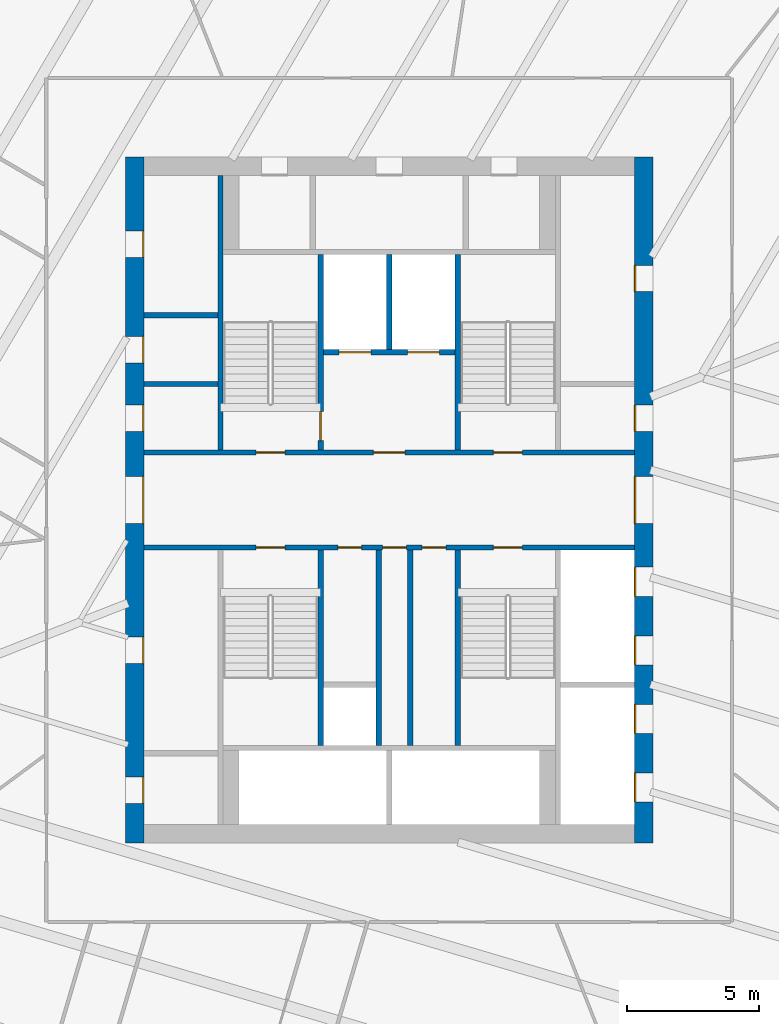
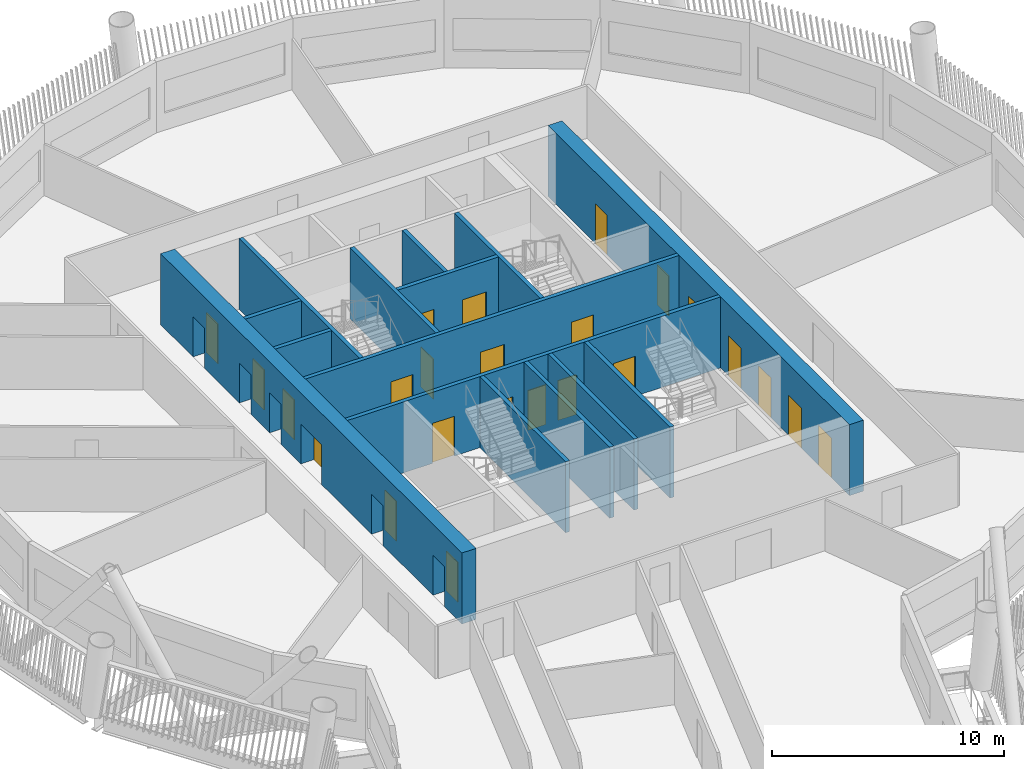
# One storey, part 5 of 23: 24 doors, 15 walls, 24 openings.
"""IFC4 building model written with IfcOpenShell, lengths in metres."""

from ifc_helpers import new_model, si_unit, direction, frame, frame_2d, origin, place, context, subcontext, project, spatial, rectangle, extrude, material, layer, layer_set, type_object, element, fill, save


model = new_model("IFC4")

# Units and contexts
model_context = context("Model", 3, precision=1e-05, world=origin(), true_north=direction((0.0, 1.0)))
body_context = subcontext(model_context, "Body", "Model", "MODEL_VIEW")
ifc_project = project(units=[si_unit("LENGTHUNIT", "METRE"), si_unit("AREAUNIT", "SQUARE_METRE"), si_unit("VOLUMEUNIT", "CUBIC_METRE"), si_unit("PLANEANGLEUNIT", "RADIAN"), si_unit("MASSUNIT", "GRAM", prefix="KILO")], contexts=[model_context])

# Site, building, storey
site_placement = place(None, origin())
site = spatial("IfcSite", under=ifc_project, at=site_placement, CompositionType="ELEMENT")
building_placement = place(site_placement, origin())
building = spatial("IfcBuilding", under=site, at=building_placement, Name="Tarsis Ring Headquarters", CompositionType="ELEMENT")
storey_placement = place(building_placement, frame((0.0, 0.0, 155.39990234375)))
storey = spatial("IfcBuildingStorey", under=building, at=storey_placement, Name="L35", CompositionType="ELEMENT", Elevation=155.39990234375)

# Walls
ifc_material_1 = material(Name="Blockwork", Category="masonry")
ifc_layer_1 = layer(ifc_material_1, 0.199951171875)
ifc_layer_set_1 = layer_set([ifc_layer_1], Name="Core blockwork wall 200")
wall_type_1 = type_object("IfcWallType", Name="Core blockwork wall 200", PredefinedType="PARTITIONING", material=ifc_layer_set_1)
for number, where, z_axis, x_axis, name in (
    (1, (-9.300048828125, 4.39990234375, 0.0), (0.0, 0.0, 1.0), (1.0, 0.0, 0.0), "Core partition WD5"),
    (2, (-9.300048828125, 7.0, 0.0), (0.0, 0.0, 1.0), (1.0, 0.0, 0.0), "Core partition WD6"),
):
    element("IfcWall", number, at=place(storey_placement, frame(where, z_axis=z_axis, x_axis=x_axis)), inside=storey, type_object=wall_type_1, Name=name, PredefinedType="PARTITIONING", context=body_context, shape_type="SweptSolid", body=[
        extrude(rectangle(XDim=2.800048828125, YDim=0.199951171875, at=frame_2d((1.39990234375, 0.0))), origin(), (0.0, 0.0, 1.0), 3.739990234375),
    ])
for number, where, z_axis, x_axis, name in (
    (3, (-0.39990234375, -9.300048828125, 0.0), (0.0, 0.0, 1.0), (0.0, 1.0, 0.0), "Core partition SV1"),
    (4, (0.800048828125, -9.300048828125, 0.0), (0.0, 0.0, 1.0), (0.0, 1.0, 0.0), "Core partition SV2"),
):
    element("IfcWall", number, at=place(storey_placement, frame(where, z_axis=z_axis, x_axis=x_axis)), inside=storey, type_object=wall_type_1, Name=name, PredefinedType="PARTITIONING", context=body_context, shape_type="SweptSolid", body=[
        extrude(rectangle(XDim=7.400146484375, YDim=0.199951171875, at=frame_2d((3.7001953125, 0.0))), origin(), (0.0, 0.0, 1.0), 3.739990234375),
    ])

# Wall, openings, doors
ifc_material_2 = material(Name="Concrete C60/75", Category="concrete")
ifc_layer_2 = layer(ifc_material_2, 0.699951171875)
ifc_layer_set_2 = layer_set([ifc_layer_2], Name="Core wall 700 C60/75")
wall_type_2 = type_object("IfcWallType", Name="Core wall 700 C60/75", PredefinedType="SHEAR", material=ifc_layer_set_2)
wall_1_placement = place(storey_placement, frame((-9.64990234375, -13.0, 0.0), z_axis=(0.0, 0.0, 1.0), x_axis=(0.0, 1.0, 0.0)))
wall_1 = element("IfcWall", 5, at=wall_1_placement, inside=storey, type_object=wall_type_2, Name="Core wall OW", PredefinedType="SHEAR", context=body_context, shape_type="SweptSolid", body=[
    extrude(rectangle(XDim=26.0, YDim=0.699951171875, at=frame_2d((13.0, 0.0))), origin(), (0.0, 0.0, 1.0), 3.739990234375),
])
opening_1_placement = place(wall_1_placement, frame((1.5, 0.0, 0.0)))
opening_1 = element("IfcOpeningElement", 6, at=opening_1_placement, cuts=wall_1, Name="Opening L35-C01", PredefinedType="OPENING", context=body_context, shape_type="SweptSolid", body=[
    extrude(rectangle(XDim=1.0, YDim=2.10009765625, at=frame_2d((0.5, 1.050048828125))), frame((0.0, 0.35986328125, 0.0), z_axis=(0.0, -1.0, 0.0), x_axis=(1.0, 0.0, 0.0)), (0.0, 0.0, 1.0), 0.719970703125),
])
opening_2_placement = place(wall_1_placement, frame((6.800048828125, 0.0, 0.0)))
opening_2 = element("IfcOpeningElement", 7, at=opening_2_placement, cuts=wall_1, Name="Opening L35-C02", PredefinedType="OPENING", context=body_context, shape_type="SweptSolid", body=[
    extrude(rectangle(XDim=1.0, YDim=2.10009765625, at=frame_2d((0.5, 1.050048828125))), frame((0.0, 0.35986328125, 0.0), z_axis=(0.0, -1.0, 0.0), x_axis=(1.0, 0.0, 0.0)), (0.0, 0.0, 1.0), 0.719970703125),
])
opening_3_placement = place(wall_1_placement, frame((12.10009765625, 0.0, 0.0)))
opening_3 = element("IfcOpeningElement", 8, at=opening_3_placement, cuts=wall_1, Name="Opening L35-C03", PredefinedType="OPENING", context=body_context, shape_type="SweptSolid", body=[
    extrude(rectangle(XDim=1.800048828125, YDim=2.10009765625, at=frame_2d((0.89990234375, 1.050048828125))), frame((0.0, 0.35986328125, 0.0), z_axis=(0.0, -1.0, 0.0), x_axis=(1.0, 0.0, 0.0)), (0.0, 0.0, 1.0), 0.719970703125),
])
opening_4_placement = place(wall_1_placement, frame((15.60009765625, 0.0, 0.0)))
opening_4 = element("IfcOpeningElement", 9, at=opening_4_placement, cuts=wall_1, Name="Opening L35-C04", PredefinedType="OPENING", context=body_context, shape_type="SweptSolid", body=[
    extrude(rectangle(XDim=1.0, YDim=2.10009765625, at=frame_2d((0.5, 1.050048828125))), frame((0.0, 0.35986328125, 0.0), z_axis=(0.0, -1.0, 0.0), x_axis=(1.0, 0.0, 0.0)), (0.0, 0.0, 1.0), 0.719970703125),
])
opening_5_placement = place(wall_1_placement, frame((18.199951171875, 0.0, 0.0)))
opening_5 = element("IfcOpeningElement", 10, at=opening_5_placement, cuts=wall_1, Name="Opening L35-C05", PredefinedType="OPENING", context=body_context, shape_type="SweptSolid", body=[
    extrude(rectangle(XDim=1.0, YDim=2.10009765625, at=frame_2d((0.5, 1.050048828125))), frame((0.0, 0.35986328125, 0.0), z_axis=(0.0, -1.0, 0.0), x_axis=(1.0, 0.0, 0.0)), (0.0, 0.0, 1.0), 0.719970703125),
])
opening_6_placement = place(wall_1_placement, frame((22.199951171875, 0.0, 0.0)))
opening_6 = element("IfcOpeningElement", 11, at=opening_6_placement, cuts=wall_1, Name="Opening L35-C06", PredefinedType="OPENING", context=body_context, shape_type="SweptSolid", body=[
    extrude(rectangle(XDim=1.0, YDim=2.10009765625, at=frame_2d((0.5, 1.050048828125))), frame((0.0, 0.35986328125, 0.0), z_axis=(0.0, -1.0, 0.0), x_axis=(1.0, 0.0, 0.0)), (0.0, 0.0, 1.0), 0.719970703125),
])
ifc_material_3 = material(Name="Steel S355", Category="steel")
door_type_1 = type_object("IfcDoorType", Name="Core entry door 1800x2100", OperationType="DOUBLE_DOOR_SINGLE_SWING", PredefinedType="DOOR", material=ifc_material_3)
door_1_placement = place(opening_3_placement, origin())
door_1 = element("IfcDoor", 12, at=door_1_placement, inside=storey, type_object=door_type_1, Name="Core entry door L35", OperationType="DOUBLE_DOOR_SINGLE_SWING", OverallHeight=2.10009765625, OverallWidth=1.800048828125, PredefinedType="DOOR", context=body_context, shape_type="SweptSolid", body=[
    extrude(rectangle(XDim=1.800048828125, YDim=2.10009765625, at=frame_2d((0.89990234375, 1.050048828125))), frame((0.0, -0.2998046875, 0.0), z_axis=(0.0, -1.0, 0.0), x_axis=(1.0, 0.0, 0.0)), (0.0, 0.0, 1.0), 0.050048828125),
])
fill(opening_3, door_1)
door_type_2 = type_object("IfcDoorType", Name="Core room door 1000x2100", OperationType="SINGLE_SWING_LEFT", PredefinedType="DOOR", material=ifc_material_3)
door_2_placement = place(opening_1_placement, origin())
door_2 = element("IfcDoor", 13, at=door_2_placement, inside=storey, type_object=door_type_2, Name="Core room door L35", OperationType="SINGLE_SWING_LEFT", OverallHeight=2.10009765625, OverallWidth=1.0, PredefinedType="DOOR", context=body_context, shape_type="SweptSolid", body=[
    extrude(rectangle(XDim=1.0, YDim=2.10009765625, at=frame_2d((0.5, 1.050048828125))), frame((0.0, -0.2998046875, 0.0), z_axis=(0.0, -1.0, 0.0), x_axis=(1.0, 0.0, 0.0)), (0.0, 0.0, 1.0), 0.050048828125),
])
fill(opening_1, door_2)
door_3_placement = place(opening_2_placement, origin())
door_3 = element("IfcDoor", 14, at=door_3_placement, inside=storey, type_object=door_type_2, Name="Core room door L35", OperationType="SINGLE_SWING_LEFT", OverallHeight=2.10009765625, OverallWidth=1.0, PredefinedType="DOOR", context=body_context, shape_type="SweptSolid", body=[
    extrude(rectangle(XDim=1.0, YDim=2.10009765625, at=frame_2d((0.5, 1.050048828125))), frame((0.0, -0.2998046875, 0.0), z_axis=(0.0, -1.0, 0.0), x_axis=(1.0, 0.0, 0.0)), (0.0, 0.0, 1.0), 0.050048828125),
])
fill(opening_2, door_3)
door_4_placement = place(opening_4_placement, origin())
door_4 = element("IfcDoor", 15, at=door_4_placement, inside=storey, type_object=door_type_2, Name="Core room door L35", OperationType="SINGLE_SWING_LEFT", OverallHeight=2.10009765625, OverallWidth=1.0, PredefinedType="DOOR", context=body_context, shape_type="SweptSolid", body=[
    extrude(rectangle(XDim=1.0, YDim=2.10009765625, at=frame_2d((0.5, 1.050048828125))), frame((0.0, -0.2998046875, 0.0), z_axis=(0.0, -1.0, 0.0), x_axis=(1.0, 0.0, 0.0)), (0.0, 0.0, 1.0), 0.050048828125),
])
fill(opening_4, door_4)
door_5_placement = place(opening_5_placement, origin())
door_5 = element("IfcDoor", 16, at=door_5_placement, inside=storey, type_object=door_type_2, Name="Core room door L35", OperationType="SINGLE_SWING_LEFT", OverallHeight=2.10009765625, OverallWidth=1.0, PredefinedType="DOOR", context=body_context, shape_type="SweptSolid", body=[
    extrude(rectangle(XDim=1.0, YDim=2.10009765625, at=frame_2d((0.5, 1.050048828125))), frame((0.0, -0.2998046875, 0.0), z_axis=(0.0, -1.0, 0.0), x_axis=(1.0, 0.0, 0.0)), (0.0, 0.0, 1.0), 0.050048828125),
])
fill(opening_5, door_5)
door_6_placement = place(opening_6_placement, origin())
door_6 = element("IfcDoor", 17, at=door_6_placement, inside=storey, type_object=door_type_2, Name="Core room door L35", OperationType="SINGLE_SWING_LEFT", OverallHeight=2.10009765625, OverallWidth=1.0, PredefinedType="DOOR", context=body_context, shape_type="SweptSolid", body=[
    extrude(rectangle(XDim=1.0, YDim=2.10009765625, at=frame_2d((0.5, 1.050048828125))), frame((0.0, -0.2998046875, 0.0), z_axis=(0.0, -1.0, 0.0), x_axis=(1.0, 0.0, 0.0)), (0.0, 0.0, 1.0), 0.050048828125),
])
fill(opening_6, door_6)

wall_2_placement = place(storey_placement, frame((9.64990234375, -13.0, 0.0), z_axis=(0.0, 0.0, 1.0), x_axis=(0.0, 1.0, 0.0)))
wall_2 = element("IfcWall", 18, at=wall_2_placement, inside=storey, type_object=wall_type_2, Name="Core wall OE", PredefinedType="SHEAR", context=body_context, shape_type="SweptSolid", body=[
    extrude(rectangle(XDim=26.0, YDim=0.699951171875, at=frame_2d((13.0, 0.0))), origin(), (0.0, 0.0, 1.0), 3.739990234375),
])
opening_7_placement = place(wall_2_placement, frame((1.550048828125, 0.0, 0.0)))
opening_7 = element("IfcOpeningElement", 19, at=opening_7_placement, cuts=wall_2, Name="Opening LD-MR1", PredefinedType="OPENING", context=body_context, shape_type="SweptSolid", body=[
    extrude(rectangle(XDim=1.10009765625, YDim=2.10009765625, at=frame_2d((0.550048828125, 1.050048828125))), frame((0.0, 0.35986328125, 0.0), z_axis=(0.0, -1.0, 0.0), x_axis=(1.0, 0.0, 0.0)), (0.0, 0.0, 1.0), 0.719970703125),
])
opening_8_placement = place(wall_2_placement, frame((4.14990234375, 0.0, 0.0)))
opening_8 = element("IfcOpeningElement", 20, at=opening_8_placement, cuts=wall_2, Name="Opening LD-MR2", PredefinedType="OPENING", context=body_context, shape_type="SweptSolid", body=[
    extrude(rectangle(XDim=1.10009765625, YDim=2.10009765625, at=frame_2d((0.550048828125, 1.050048828125))), frame((0.0, 0.35986328125, 0.0), z_axis=(0.0, -1.0, 0.0), x_axis=(1.0, 0.0, 0.0)), (0.0, 0.0, 1.0), 0.719970703125),
])
opening_9_placement = place(wall_2_placement, frame((6.75, 0.0, 0.0)))
opening_9 = element("IfcOpeningElement", 21, at=opening_9_placement, cuts=wall_2, Name="Opening LD-MR3", PredefinedType="OPENING", context=body_context, shape_type="SweptSolid", body=[
    extrude(rectangle(XDim=1.10009765625, YDim=2.10009765625, at=frame_2d((0.550048828125, 1.050048828125))), frame((0.0, 0.35986328125, 0.0), z_axis=(0.0, -1.0, 0.0), x_axis=(1.0, 0.0, 0.0)), (0.0, 0.0, 1.0), 0.719970703125),
])
opening_10_placement = place(wall_2_placement, frame((9.35009765625, 0.0, 0.0)))
opening_10 = element("IfcOpeningElement", 22, at=opening_10_placement, cuts=wall_2, Name="Opening LD-MR4", PredefinedType="OPENING", context=body_context, shape_type="SweptSolid", body=[
    extrude(rectangle(XDim=1.10009765625, YDim=2.10009765625, at=frame_2d((0.550048828125, 1.050048828125))), frame((0.0, 0.35986328125, 0.0), z_axis=(0.0, -1.0, 0.0), x_axis=(1.0, 0.0, 0.0)), (0.0, 0.0, 1.0), 0.719970703125),
])
opening_11_placement = place(wall_2_placement, frame((12.10009765625, 0.0, 0.0)))
opening_11 = element("IfcOpeningElement", 23, at=opening_11_placement, cuts=wall_2, Name="Opening L35-C11", PredefinedType="OPENING", context=body_context, shape_type="SweptSolid", body=[
    extrude(rectangle(XDim=1.800048828125, YDim=2.10009765625, at=frame_2d((0.89990234375, 1.050048828125))), frame((0.0, 0.35986328125, 0.0), z_axis=(0.0, -1.0, 0.0), x_axis=(1.0, 0.0, 0.0)), (0.0, 0.0, 1.0), 0.719970703125),
])
opening_12_placement = place(wall_2_placement, frame((15.60009765625, 0.0, 0.0)))
opening_12 = element("IfcOpeningElement", 24, at=opening_12_placement, cuts=wall_2, Name="Opening L35-C12", PredefinedType="OPENING", context=body_context, shape_type="SweptSolid", body=[
    extrude(rectangle(XDim=1.0, YDim=2.10009765625, at=frame_2d((0.5, 1.050048828125))), frame((0.0, 0.35986328125, 0.0), z_axis=(0.0, -1.0, 0.0), x_axis=(1.0, 0.0, 0.0)), (0.0, 0.0, 1.0), 0.719970703125),
])
opening_13_placement = place(wall_2_placement, frame((20.89990234375, 0.0, 0.0)))
opening_13 = element("IfcOpeningElement", 25, at=opening_13_placement, cuts=wall_2, Name="Opening L35-C13", PredefinedType="OPENING", context=body_context, shape_type="SweptSolid", body=[
    extrude(rectangle(XDim=1.0, YDim=2.10009765625, at=frame_2d((0.5, 1.050048828125))), frame((0.0, 0.35986328125, 0.0), z_axis=(0.0, -1.0, 0.0), x_axis=(1.0, 0.0, 0.0)), (0.0, 0.0, 1.0), 0.719970703125),
])
door_7_placement = place(opening_11_placement, origin())
door_7 = element("IfcDoor", 26, at=door_7_placement, inside=storey, type_object=door_type_1, Name="Core entry door L35", OperationType="DOUBLE_DOOR_SINGLE_SWING", OverallHeight=2.10009765625, OverallWidth=1.800048828125, PredefinedType="DOOR", context=body_context, shape_type="SweptSolid", body=[
    extrude(rectangle(XDim=1.800048828125, YDim=2.10009765625, at=frame_2d((0.89990234375, 1.050048828125))), frame((0.0, 0.35009765625, 0.0), z_axis=(0.0, -1.0, 0.0), x_axis=(1.0, 0.0, 0.0)), (0.0, 0.0, 1.0), 0.050048828125),
])
fill(opening_11, door_7)
door_8_placement = place(opening_12_placement, origin())
door_8 = element("IfcDoor", 27, at=door_8_placement, inside=storey, type_object=door_type_2, Name="Core room door L35", OperationType="SINGLE_SWING_LEFT", OverallHeight=2.10009765625, OverallWidth=1.0, PredefinedType="DOOR", context=body_context, shape_type="SweptSolid", body=[
    extrude(rectangle(XDim=1.0, YDim=2.10009765625, at=frame_2d((0.5, 1.050048828125))), frame((0.0, 0.35009765625, 0.0), z_axis=(0.0, -1.0, 0.0), x_axis=(1.0, 0.0, 0.0)), (0.0, 0.0, 1.0), 0.050048828125),
])
fill(opening_12, door_8)
door_9_placement = place(opening_13_placement, origin())
door_9 = element("IfcDoor", 28, at=door_9_placement, inside=storey, type_object=door_type_2, Name="Core room door L35", OperationType="SINGLE_SWING_LEFT", OverallHeight=2.10009765625, OverallWidth=1.0, PredefinedType="DOOR", context=body_context, shape_type="SweptSolid", body=[
    extrude(rectangle(XDim=1.0, YDim=2.10009765625, at=frame_2d((0.5, 1.050048828125))), frame((0.0, 0.35009765625, 0.0), z_axis=(0.0, -1.0, 0.0), x_axis=(1.0, 0.0, 0.0)), (0.0, 0.0, 1.0), 0.050048828125),
])
fill(opening_13, door_9)
door_type_3 = type_object("IfcDoorType", Name="Landing door 1100x2100", OperationType="SLIDING_TO_LEFT", PredefinedType="DOOR", material=ifc_material_3)
door_10_placement = place(opening_7_placement, origin())
door_10 = element("IfcDoor", 29, at=door_10_placement, inside=storey, type_object=door_type_3, Name="Landing door MR1 L35", OperationType="SLIDING_TO_LEFT", OverallHeight=2.10009765625, OverallWidth=1.10009765625, PredefinedType="DOOR", context=body_context, shape_type="SweptSolid", body=[
    extrude(rectangle(XDim=1.10009765625, YDim=2.10009765625, at=frame_2d((0.550048828125, 1.050048828125))), frame((0.0, 0.35009765625, 0.0), z_axis=(0.0, -1.0, 0.0), x_axis=(1.0, 0.0, 0.0)), (0.0, 0.0, 1.0), 0.050048828125),
])
fill(opening_7, door_10)
door_11_placement = place(opening_8_placement, origin())
door_11 = element("IfcDoor", 30, at=door_11_placement, inside=storey, type_object=door_type_3, Name="Landing door MR2 L35", OperationType="SLIDING_TO_LEFT", OverallHeight=2.10009765625, OverallWidth=1.10009765625, PredefinedType="DOOR", context=body_context, shape_type="SweptSolid", body=[
    extrude(rectangle(XDim=1.10009765625, YDim=2.10009765625, at=frame_2d((0.550048828125, 1.050048828125))), frame((0.0, 0.35009765625, 0.0), z_axis=(0.0, -1.0, 0.0), x_axis=(1.0, 0.0, 0.0)), (0.0, 0.0, 1.0), 0.050048828125),
])
fill(opening_8, door_11)
door_12_placement = place(opening_9_placement, origin())
door_12 = element("IfcDoor", 31, at=door_12_placement, inside=storey, type_object=door_type_3, Name="Landing door MR3 L35", OperationType="SLIDING_TO_LEFT", OverallHeight=2.10009765625, OverallWidth=1.10009765625, PredefinedType="DOOR", context=body_context, shape_type="SweptSolid", body=[
    extrude(rectangle(XDim=1.10009765625, YDim=2.10009765625, at=frame_2d((0.550048828125, 1.050048828125))), frame((0.0, 0.35009765625, 0.0), z_axis=(0.0, -1.0, 0.0), x_axis=(1.0, 0.0, 0.0)), (0.0, 0.0, 1.0), 0.050048828125),
])
fill(opening_9, door_12)
door_13_placement = place(opening_10_placement, origin())
door_13 = element("IfcDoor", 32, at=door_13_placement, inside=storey, type_object=door_type_3, Name="Landing door MR4 L35", OperationType="SLIDING_TO_LEFT", OverallHeight=2.10009765625, OverallWidth=1.10009765625, PredefinedType="DOOR", context=body_context, shape_type="SweptSolid", body=[
    extrude(rectangle(XDim=1.10009765625, YDim=2.10009765625, at=frame_2d((0.550048828125, 1.050048828125))), frame((0.0, 0.35009765625, 0.0), z_axis=(0.0, -1.0, 0.0), x_axis=(1.0, 0.0, 0.0)), (0.0, 0.0, 1.0), 0.050048828125),
])
fill(opening_10, door_13)

ifc_material_4 = material(Name="Concrete C32/40", Category="concrete")
ifc_layer_3 = layer(ifc_material_4, 0.199951171875)
ifc_layer_set_3 = layer_set([ifc_layer_3], Name="Shaft wall 200 C32/40")
wall_type_3 = type_object("IfcWallType", Name="Shaft wall 200 C32/40", PredefinedType="SOLIDWALL", material=ifc_layer_set_3)
wall_3_placement = place(storey_placement, frame((-9.300048828125, 1.800048828125, 0.0), z_axis=(0.0, 0.0, 1.0), x_axis=(1.0, 0.0, 0.0)))
wall_3 = element("IfcWall", 33, at=wall_3_placement, inside=storey, type_object=wall_type_3, Name="Core shaft wall CN", PredefinedType="SOLIDWALL", context=body_context, shape_type="SweptSolid", body=[
    extrude(rectangle(XDim=18.60009765625, YDim=0.199951171875, at=frame_2d((9.300048828125, 0.0))), origin(), (0.0, 0.0, 1.0), 3.739990234375),
])
opening_14_placement = place(wall_3_placement, frame((4.25, 0.0, 0.0)))
opening_14 = element("IfcOpeningElement", 34, at=opening_14_placement, cuts=wall_3, Name="Opening L35-C17", PredefinedType="OPENING", context=body_context, shape_type="SweptSolid", body=[
    extrude(rectangle(XDim=1.10009765625, YDim=2.10009765625, at=frame_2d((0.550048828125, 1.050048828125))), frame((0.0, 0.10986328125, 0.0), z_axis=(0.0, -1.0, 0.0), x_axis=(1.0, 0.0, 0.0)), (0.0, 0.0, 1.0), 0.219970703125),
])
opening_15_placement = place(wall_3_placement, frame((8.699951171875, 0.0, 0.0)))
opening_15 = element("IfcOpeningElement", 35, at=opening_15_placement, cuts=wall_3, Name="Opening L35-C18", PredefinedType="OPENING", context=body_context, shape_type="SweptSolid", body=[
    extrude(rectangle(XDim=1.199951171875, YDim=2.10009765625, at=frame_2d((0.60009765625, 1.050048828125))), frame((0.0, 0.10986328125, 0.0), z_axis=(0.0, -1.0, 0.0), x_axis=(1.0, 0.0, 0.0)), (0.0, 0.0, 1.0), 0.219970703125),
])
opening_16_placement = place(wall_3_placement, frame((13.25, 0.0, 0.0)))
opening_16 = element("IfcOpeningElement", 36, at=opening_16_placement, cuts=wall_3, Name="Opening L35-C19", PredefinedType="OPENING", context=body_context, shape_type="SweptSolid", body=[
    extrude(rectangle(XDim=1.10009765625, YDim=2.10009765625, at=frame_2d((0.550048828125, 1.050048828125))), frame((0.0, 0.10986328125, 0.0), z_axis=(0.0, -1.0, 0.0), x_axis=(1.0, 0.0, 0.0)), (0.0, 0.0, 1.0), 0.219970703125),
])
door_type_4 = type_object("IfcDoorType", Name="Firefighting lobby door 1200x2100", OperationType="DOUBLE_DOOR_SINGLE_SWING", PredefinedType="DOOR", material=ifc_material_3)
door_14_placement = place(opening_15_placement, origin())
door_14 = element("IfcDoor", 37, at=door_14_placement, inside=storey, type_object=door_type_4, Name="Firefighting lobby door L35", OperationType="DOUBLE_DOOR_SINGLE_SWING", OverallHeight=2.10009765625, OverallWidth=1.199951171875, PredefinedType="DOOR", context=body_context, shape_type="SweptSolid", body=[
    extrude(rectangle(XDim=1.199951171875, YDim=2.10009765625, at=frame_2d((0.60009765625, 1.050048828125))), frame((0.0, 0.02490234375, 0.0), z_axis=(0.0, -1.0, 0.0), x_axis=(1.0, 0.0, 0.0)), (0.0, 0.0, 1.0), 0.050048828125),
])
fill(opening_15, door_14)
door_type_5 = type_object("IfcDoorType", Name="Stair door 1100x2100", OperationType="SINGLE_SWING_LEFT", PredefinedType="DOOR", material=ifc_material_3)
door_15_placement = place(opening_14_placement, origin())
door_15 = element("IfcDoor", 38, at=door_15_placement, inside=storey, type_object=door_type_5, Name="Stair door L35", OperationType="SINGLE_SWING_LEFT", OverallHeight=2.10009765625, OverallWidth=1.10009765625, PredefinedType="DOOR", context=body_context, shape_type="SweptSolid", body=[
    extrude(rectangle(XDim=1.10009765625, YDim=2.10009765625, at=frame_2d((0.550048828125, 1.050048828125))), frame((0.0, 0.02490234375, 0.0), z_axis=(0.0, -1.0, 0.0), x_axis=(1.0, 0.0, 0.0)), (0.0, 0.0, 1.0), 0.050048828125),
])
fill(opening_14, door_15)
door_16_placement = place(opening_16_placement, origin())
door_16 = element("IfcDoor", 39, at=door_16_placement, inside=storey, type_object=door_type_5, Name="Stair door L35", OperationType="SINGLE_SWING_LEFT", OverallHeight=2.10009765625, OverallWidth=1.10009765625, PredefinedType="DOOR", context=body_context, shape_type="SweptSolid", body=[
    extrude(rectangle(XDim=1.10009765625, YDim=2.10009765625, at=frame_2d((0.550048828125, 1.050048828125))), frame((0.0, 0.02490234375, 0.0), z_axis=(0.0, -1.0, 0.0), x_axis=(1.0, 0.0, 0.0)), (0.0, 0.0, 1.0), 0.050048828125),
])
fill(opening_16, door_16)

wall_4_placement = place(storey_placement, frame((-9.300048828125, -1.800048828125, 0.0), z_axis=(0.0, 0.0, 1.0), x_axis=(1.0, 0.0, 0.0)))
wall_4 = element("IfcWall", 40, at=wall_4_placement, inside=storey, type_object=wall_type_3, Name="Core shaft wall CS", PredefinedType="SOLIDWALL", context=body_context, shape_type="SweptSolid", body=[
    extrude(rectangle(XDim=18.60009765625, YDim=0.199951171875, at=frame_2d((9.300048828125, 0.0))), origin(), (0.0, 0.0, 1.0), 3.739990234375),
])
opening_17_placement = place(wall_4_placement, frame((4.25, 0.0, 0.0)))
opening_17 = element("IfcOpeningElement", 41, at=opening_17_placement, cuts=wall_4, Name="Opening L35-C20", PredefinedType="OPENING", context=body_context, shape_type="SweptSolid", body=[
    extrude(rectangle(XDim=1.10009765625, YDim=2.10009765625, at=frame_2d((0.550048828125, 1.050048828125))), frame((0.0, 0.10986328125, 0.0), z_axis=(0.0, -1.0, 0.0), x_axis=(1.0, 0.0, 0.0)), (0.0, 0.0, 1.0), 0.219970703125),
])
opening_18_placement = place(wall_4_placement, frame((7.35009765625, 0.0, 0.0)))
opening_18 = element("IfcOpeningElement", 42, at=opening_18_placement, cuts=wall_4, Name="Opening L35-C21", PredefinedType="OPENING", context=body_context, shape_type="SweptSolid", body=[
    extrude(rectangle(XDim=0.89990234375, YDim=2.10009765625, at=frame_2d((0.449951171875, 1.050048828125))), frame((0.0, 0.10986328125, 0.0), z_axis=(0.0, -1.0, 0.0), x_axis=(1.0, 0.0, 0.0)), (0.0, 0.0, 1.0), 0.219970703125),
])
opening_19_placement = place(wall_4_placement, frame((9.050048828125, 0.0, 0.0)))
opening_19 = element("IfcOpeningElement", 43, at=opening_19_placement, cuts=wall_4, Name="Opening L35-C22", PredefinedType="OPENING", context=body_context, shape_type="SweptSolid", body=[
    extrude(rectangle(XDim=0.89990234375, YDim=2.10009765625, at=frame_2d((0.449951171875, 1.050048828125))), frame((0.0, 0.10986328125, 0.0), z_axis=(0.0, -1.0, 0.0), x_axis=(1.0, 0.0, 0.0)), (0.0, 0.0, 1.0), 0.219970703125),
])
opening_20_placement = place(wall_4_placement, frame((10.550048828125, 0.0, 0.0)))
opening_20 = element("IfcOpeningElement", 44, at=opening_20_placement, cuts=wall_4, Name="Opening L35-C23", PredefinedType="OPENING", context=body_context, shape_type="SweptSolid", body=[
    extrude(rectangle(XDim=0.89990234375, YDim=2.10009765625, at=frame_2d((0.449951171875, 1.050048828125))), frame((0.0, 0.10986328125, 0.0), z_axis=(0.0, -1.0, 0.0), x_axis=(1.0, 0.0, 0.0)), (0.0, 0.0, 1.0), 0.219970703125),
])
opening_21_placement = place(wall_4_placement, frame((13.25, 0.0, 0.0)))
opening_21 = element("IfcOpeningElement", 45, at=opening_21_placement, cuts=wall_4, Name="Opening L35-C24", PredefinedType="OPENING", context=body_context, shape_type="SweptSolid", body=[
    extrude(rectangle(XDim=1.10009765625, YDim=2.10009765625, at=frame_2d((0.550048828125, 1.050048828125))), frame((0.0, 0.10986328125, 0.0), z_axis=(0.0, -1.0, 0.0), x_axis=(1.0, 0.0, 0.0)), (0.0, 0.0, 1.0), 0.219970703125),
])
door_17_placement = place(opening_17_placement, origin())
door_17 = element("IfcDoor", 46, at=door_17_placement, inside=storey, type_object=door_type_5, Name="Stair door L35", OperationType="SINGLE_SWING_LEFT", OverallHeight=2.10009765625, OverallWidth=1.10009765625, PredefinedType="DOOR", context=body_context, shape_type="SweptSolid", body=[
    extrude(rectangle(XDim=1.10009765625, YDim=2.10009765625, at=frame_2d((0.550048828125, 1.050048828125))), frame((0.0, 0.02490234375, 0.0), z_axis=(0.0, -1.0, 0.0), x_axis=(1.0, 0.0, 0.0)), (0.0, 0.0, 1.0), 0.050048828125),
])
fill(opening_17, door_17)
door_18_placement = place(opening_21_placement, origin())
door_18 = element("IfcDoor", 47, at=door_18_placement, inside=storey, type_object=door_type_5, Name="Stair door L35", OperationType="SINGLE_SWING_LEFT", OverallHeight=2.10009765625, OverallWidth=1.10009765625, PredefinedType="DOOR", context=body_context, shape_type="SweptSolid", body=[
    extrude(rectangle(XDim=1.10009765625, YDim=2.10009765625, at=frame_2d((0.550048828125, 1.050048828125))), frame((0.0, 0.02490234375, 0.0), z_axis=(0.0, -1.0, 0.0), x_axis=(1.0, 0.0, 0.0)), (0.0, 0.0, 1.0), 0.050048828125),
])
fill(opening_21, door_18)
door_type_6 = type_object("IfcDoorType", Name="WC door 900x2100", OperationType="SINGLE_SWING_LEFT", PredefinedType="DOOR", material=ifc_material_3)
door_19_placement = place(opening_18_placement, origin())
door_19 = element("IfcDoor", 48, at=door_19_placement, inside=storey, type_object=door_type_6, Name="WC door L35", OperationType="SINGLE_SWING_LEFT", OverallHeight=2.10009765625, OverallWidth=0.89990234375, PredefinedType="DOOR", context=body_context, shape_type="SweptSolid", body=[
    extrude(rectangle(XDim=0.89990234375, YDim=2.10009765625, at=frame_2d((0.449951171875, 1.050048828125))), frame((0.0, 0.02490234375, 0.0), z_axis=(0.0, -1.0, 0.0), x_axis=(1.0, 0.0, 0.0)), (0.0, 0.0, 1.0), 0.050048828125),
])
fill(opening_18, door_19)
door_20_placement = place(opening_19_placement, origin())
door_20 = element("IfcDoor", 49, at=door_20_placement, inside=storey, type_object=door_type_6, Name="WC door L35", OperationType="SINGLE_SWING_LEFT", OverallHeight=2.10009765625, OverallWidth=0.89990234375, PredefinedType="DOOR", context=body_context, shape_type="SweptSolid", body=[
    extrude(rectangle(XDim=0.89990234375, YDim=2.10009765625, at=frame_2d((0.449951171875, 1.050048828125))), frame((0.0, 0.02490234375, 0.0), z_axis=(0.0, -1.0, 0.0), x_axis=(1.0, 0.0, 0.0)), (0.0, 0.0, 1.0), 0.050048828125),
])
fill(opening_19, door_20)
door_21_placement = place(opening_20_placement, origin())
door_21 = element("IfcDoor", 50, at=door_21_placement, inside=storey, type_object=door_type_6, Name="WC door L35", OperationType="SINGLE_SWING_LEFT", OverallHeight=2.10009765625, OverallWidth=0.89990234375, PredefinedType="DOOR", context=body_context, shape_type="SweptSolid", body=[
    extrude(rectangle(XDim=0.89990234375, YDim=2.10009765625, at=frame_2d((0.449951171875, 1.050048828125))), frame((0.0, 0.02490234375, 0.0), z_axis=(0.0, -1.0, 0.0), x_axis=(1.0, 0.0, 0.0)), (0.0, 0.0, 1.0), 0.050048828125),
])
fill(opening_20, door_21)

# Wall
wall_5_placement = place(storey_placement, frame((-6.39990234375, 1.89990234375, 0.0), z_axis=(0.0, 0.0, 1.0), x_axis=(0.0, 1.0, 0.0)))
element("IfcWall", 51, at=wall_5_placement, inside=storey, type_object=wall_type_3, Name="Core shaft wall WB2", PredefinedType="SOLIDWALL", context=body_context, shape_type="SweptSolid", body=[
    extrude(rectangle(XDim=10.400146484375, YDim=0.199951171875, at=frame_2d((5.2001953125, 0.0))), origin(), (0.0, 0.0, 1.0), 3.739990234375),
])

# Wall, opening, door
wall_6_placement = place(storey_placement, frame((-2.60009765625, 1.89990234375, 0.0), z_axis=(0.0, 0.0, 1.0), x_axis=(0.0, 1.0, 0.0)))
wall_6 = element("IfcWall", 52, at=wall_6_placement, inside=storey, type_object=wall_type_3, Name="Core shaft wall SW1", PredefinedType="SOLIDWALL", context=body_context, shape_type="SweptSolid", body=[
    extrude(rectangle(XDim=7.400146484375, YDim=0.199951171875, at=frame_2d((3.7001953125, 0.0))), origin(), (0.0, 0.0, 1.0), 3.739990234375),
])
opening_22_placement = place(wall_6_placement, frame((0.35009765625, 0.0, 0.0)))
opening_22 = element("IfcOpeningElement", 53, at=opening_22_placement, cuts=wall_6, Name="Opening L35-C25", PredefinedType="OPENING", context=body_context, shape_type="SweptSolid", body=[
    extrude(rectangle(XDim=1.10009765625, YDim=2.10009765625, at=frame_2d((0.550048828125, 1.050048828125))), frame((0.0, 0.10986328125, 0.0), z_axis=(0.0, -1.0, 0.0), x_axis=(1.0, 0.0, 0.0)), (0.0, 0.0, 1.0), 0.219970703125),
])
door_22_placement = place(opening_22_placement, origin())
door_22 = element("IfcDoor", 54, at=door_22_placement, inside=storey, type_object=door_type_5, Name="Stair door L35", OperationType="SINGLE_SWING_LEFT", OverallHeight=2.10009765625, OverallWidth=1.10009765625, PredefinedType="DOOR", context=body_context, shape_type="SweptSolid", body=[
    extrude(rectangle(XDim=1.10009765625, YDim=2.10009765625, at=frame_2d((0.550048828125, 1.050048828125))), frame((0.0, 0.02490234375, 0.0), z_axis=(0.0, -1.0, 0.0), x_axis=(1.0, 0.0, 0.0)), (0.0, 0.0, 1.0), 0.050048828125),
])
fill(opening_22, door_22)

# Walls
for number, where, z_axis, x_axis, name in (
    (55, (2.60009765625, 1.89990234375, 0.0), (0.0, 0.0, 1.0), (0.0, 1.0, 0.0), "Core shaft wall SW2"),
    (56, (-2.60009765625, -9.300048828125, 0.0), (0.0, 0.0, 1.0), (0.0, 1.0, 0.0), "Core shaft wall SW3"),
    (57, (2.60009765625, -9.300048828125, 0.0), (0.0, 0.0, 1.0), (0.0, 1.0, 0.0), "Core shaft wall SW4"),
):
    element("IfcWall", number, at=place(storey_placement, frame(where, z_axis=z_axis, x_axis=x_axis)), inside=storey, type_object=wall_type_3, Name=name, PredefinedType="SOLIDWALL", context=body_context, shape_type="SweptSolid", body=[
        extrude(rectangle(XDim=7.400146484375, YDim=0.199951171875, at=frame_2d((3.7001953125, 0.0))), origin(), (0.0, 0.0, 1.0), 3.739990234375),
    ])

# Wall, openings, doors
wall_7_placement = place(storey_placement, frame((-2.5, 5.60009765625, 0.0), z_axis=(0.0, 0.0, 1.0), x_axis=(1.0, 0.0, 0.0)))
wall_7 = element("IfcWall", 58, at=wall_7_placement, inside=storey, type_object=wall_type_3, Name="Core shaft wall FFN", PredefinedType="SOLIDWALL", context=body_context, shape_type="SweptSolid", body=[
    extrude(rectangle(XDim=5.0, YDim=0.199951171875, at=frame_2d((2.5, 0.0))), origin(), (0.0, 0.0, 1.0), 3.739990234375),
])
opening_23_placement = place(wall_7_placement, frame((0.60009765625, 0.0, 0.0)))
opening_23 = element("IfcOpeningElement", 59, at=opening_23_placement, cuts=wall_7, Name="Opening LDF-1", PredefinedType="OPENING", context=body_context, shape_type="SweptSolid", body=[
    extrude(rectangle(XDim=1.199951171875, YDim=2.10009765625, at=frame_2d((0.60009765625, 1.050048828125))), frame((0.0, 0.10986328125, 0.0), z_axis=(0.0, -1.0, 0.0), x_axis=(1.0, 0.0, 0.0)), (0.0, 0.0, 1.0), 0.219970703125),
])
opening_24_placement = place(wall_7_placement, frame((3.199951171875, 0.0, 0.0)))
opening_24 = element("IfcOpeningElement", 60, at=opening_24_placement, cuts=wall_7, Name="Opening LDF-2", PredefinedType="OPENING", context=body_context, shape_type="SweptSolid", body=[
    extrude(rectangle(XDim=1.199951171875, YDim=2.10009765625, at=frame_2d((0.60009765625, 1.050048828125))), frame((0.0, 0.10986328125, 0.0), z_axis=(0.0, -1.0, 0.0), x_axis=(1.0, 0.0, 0.0)), (0.0, 0.0, 1.0), 0.219970703125),
])
door_type_7 = type_object("IfcDoorType", Name="Firefighting landing door 1200x2100", OperationType="SLIDING_TO_LEFT", PredefinedType="DOOR", material=ifc_material_3)
door_23_placement = place(opening_23_placement, origin())
door_23 = element("IfcDoor", 61, at=door_23_placement, inside=storey, type_object=door_type_7, Name="Landing door FF1 L35", OperationType="SLIDING_TO_LEFT", OverallHeight=2.10009765625, OverallWidth=1.199951171875, PredefinedType="DOOR", context=body_context, shape_type="SweptSolid", body=[
    extrude(rectangle(XDim=1.199951171875, YDim=2.10009765625, at=frame_2d((0.60009765625, 1.050048828125))), frame((0.0, 0.02490234375, 0.0), z_axis=(0.0, -1.0, 0.0), x_axis=(1.0, 0.0, 0.0)), (0.0, 0.0, 1.0), 0.050048828125),
])
fill(opening_23, door_23)
door_24_placement = place(opening_24_placement, origin())
door_24 = element("IfcDoor", 62, at=door_24_placement, inside=storey, type_object=door_type_7, Name="Landing door FF2 L35", OperationType="SLIDING_TO_LEFT", OverallHeight=2.10009765625, OverallWidth=1.199951171875, PredefinedType="DOOR", context=body_context, shape_type="SweptSolid", body=[
    extrude(rectangle(XDim=1.199951171875, YDim=2.10009765625, at=frame_2d((0.60009765625, 1.050048828125))), frame((0.0, 0.02490234375, 0.0), z_axis=(0.0, -1.0, 0.0), x_axis=(1.0, 0.0, 0.0)), (0.0, 0.0, 1.0), 0.050048828125),
])
fill(opening_24, door_24)

# Wall
wall_8_placement = place(storey_placement, frame((0.0, 5.699951171875, 0.0), z_axis=(0.0, 0.0, 1.0), x_axis=(0.0, 1.0, 0.0)))
element("IfcWall", 63, at=wall_8_placement, inside=storey, type_object=wall_type_3, Name="Core shaft wall FFD", PredefinedType="SOLIDWALL", context=body_context, shape_type="SweptSolid", body=[
    extrude(rectangle(XDim=3.60009765625, YDim=0.199951171875, at=frame_2d((1.800048828125, 0.0))), origin(), (0.0, 0.0, 1.0), 3.739990234375),
])

save(model, "model.ifc")
